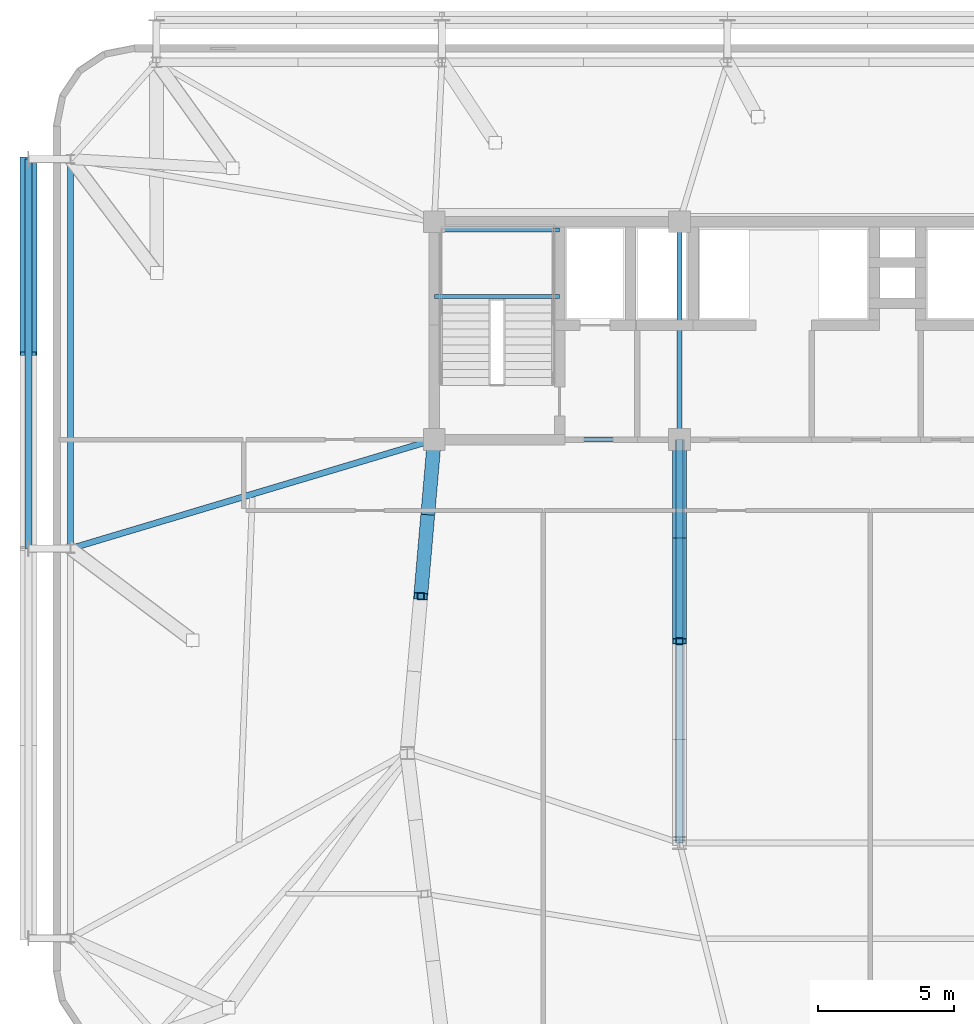
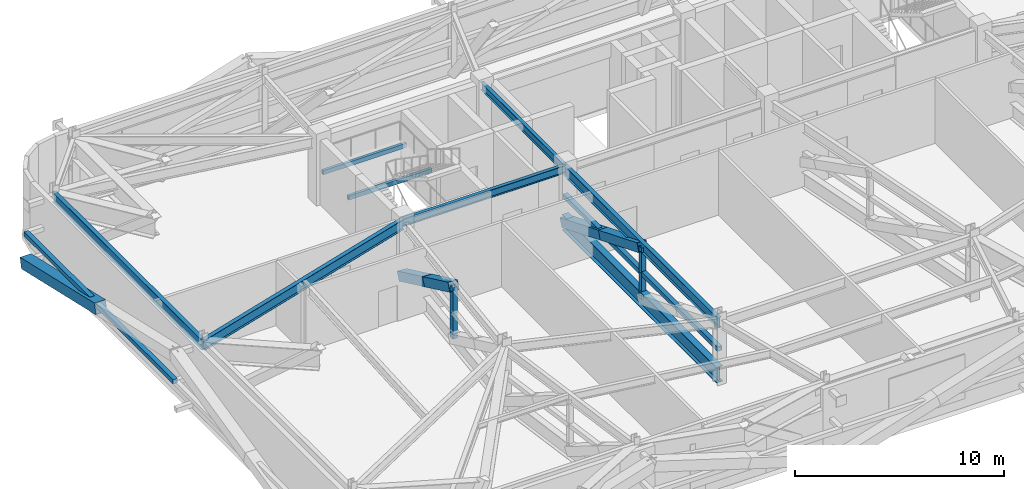
# One storey, part 7 of 24: 12 members, 7 beams.
"""IFC4 building model written with IfcOpenShell, lengths in metres."""

from ifc_helpers import new_model, si_unit, direction, frame, origin, origin_2d, place, context, subcontext, project, spatial, hollow_rectangle, i_section, extrude, source, transform, mapped, material, material_profile, profile_set, type_object, element, save


model = new_model("IFC4")

# Units and contexts
model_context = context("Model", 3, precision=1e-05, world=origin(), true_north=direction((0.0, 1.0)))
body_context = subcontext(model_context, "Body", "Model", "MODEL_VIEW")
ifc_project = project(units=[si_unit("LENGTHUNIT", "METRE"), si_unit("AREAUNIT", "SQUARE_METRE"), si_unit("VOLUMEUNIT", "CUBIC_METRE"), si_unit("PLANEANGLEUNIT", "RADIAN"), si_unit("MASSUNIT", "GRAM", prefix="KILO")], contexts=[model_context])

# Site, building, storey
site_placement = place(None, origin())
site = spatial("IfcSite", under=ifc_project, at=site_placement, CompositionType="ELEMENT")
building_placement = place(site_placement, origin())
building = spatial("IfcBuilding", under=site, at=building_placement, Name="Taldren Reach Tower", CompositionType="ELEMENT")
storey_placement = place(building_placement, frame((0.0, 0.0, 60.89990234375)))
storey = spatial("IfcBuildingStorey", under=building, at=storey_placement, Name="L18", CompositionType="ELEMENT", Elevation=60.89990234375)

# Beams
ifc_material_1 = material(Name="Steel Gr 350 (350PLUS)", Category="steel")
ifc_material_profile_1 = material_profile(ifc_material_1, i_section(OverallWidth=0.19091796875, OverallDepth=0.4599609375, WebThickness=0.010009765625, FlangeThickness=0.01611328125, at=origin_2d()), Name="460UB82.1")
ifc_profile_set_1 = profile_set([ifc_material_profile_1], Name="Steel Gr 350 (350PLUS)")
beam_type_1 = type_object("IfcBeamType", Name="BM-UB460A", PredefinedType="BEAM", material=ifc_profile_set_1)
shared_shape_1 = source(origin(), body_context, "Body", "SweptSolid", [
    extrude(i_section(OverallWidth=0.19091796875, OverallDepth=0.4599609375, WebThickness=0.010009765625, FlangeThickness=0.01611328125, at=origin_2d()), origin(), (0.0, 0.0, 1.0), 9.0),
])
beam_1_placement = place(storey_placement, frame((19.0, 24.0, 3.550048828125), z_axis=(1.0, 0.0, 0.0), x_axis=(0.0, 1.0, 0.0)))
element("IfcBeam", 1, at=beam_1_placement, inside=storey, type_object=beam_type_1, Name="Core-spine girder L18-SP01", PredefinedType="BEAM", context=body_context, shape_type="MappedRepresentation", body=[
    mapped(shared_shape_1, transform((0.0, 0.0, 0.0), scale=1.0)),
])
shared_shape_2 = source(origin(), body_context, "Body", "SweptSolid", [
    extrude(i_section(OverallWidth=0.19091796875, OverallDepth=0.4599609375, WebThickness=0.010009765625, FlangeThickness=0.01611328125, at=origin_2d()), origin(), (0.0, 0.0, 1.0), 8.0),
])
beam_2_placement = place(storey_placement, frame((28.0, 24.0, 3.550048828125), z_axis=(0.0, 1.0, 0.0), x_axis=(-1.0, 0.0, 0.0)))
element("IfcBeam", 2, at=beam_2_placement, inside=storey, type_object=beam_type_1, Name="Core-spine girder L18-SP07", PredefinedType="BEAM", context=body_context, shape_type="MappedRepresentation", body=[
    mapped(shared_shape_2, transform((0.0, 0.0, 0.0), scale=1.0)),
])
ifc_material_profile_2 = material_profile(ifc_material_1, i_section(OverallWidth=0.22802734375, OverallDepth=0.60205078125, WebThickness=0.010498046875, FlangeThickness=0.014892578125, at=origin_2d()), Name="610UB101")
ifc_profile_set_2 = profile_set([ifc_material_profile_2], Name="Steel Gr 350 (350PLUS)")
beam_type_2 = type_object("IfcBeamType", Name="BM-UB610B", PredefinedType="BEAM", material=ifc_profile_set_2)
shared_shape_3 = source(origin(), body_context, "Body", "SweptSolid", [
    extrude(i_section(OverallWidth=0.22802734375, OverallDepth=0.60205078125, WebThickness=0.010498046875, FlangeThickness=0.014892578125, at=origin_2d()), origin(), (0.0, 0.0, 1.0), 14.800048828125),
])
beam_3_placement = place(storey_placement, frame((28.0, 24.0, 3.47900390625), z_axis=(0.0, -1.0, 0.0), x_axis=(1.0, 0.0, 0.0)))
element("IfcBeam", 3, at=beam_3_placement, inside=storey, type_object=beam_type_2, Name="Core-spine girder L18-SP14", PredefinedType="BEAM", context=body_context, shape_type="MappedRepresentation", body=[
    mapped(shared_shape_3, transform((0.0, 0.0, 0.0), scale=1.0)),
])
shared_shape_4 = source(origin(), body_context, "Body", "SweptSolid", [
    extrude(i_section(OverallWidth=0.22802734375, OverallDepth=0.60205078125, WebThickness=0.010498046875, FlangeThickness=0.014892578125, at=origin_2d()), origin(), (0.0, 0.0, 1.0), 14.300048828125),
])
beam_4_placement = place(storey_placement, frame((5.64990234375, 34.300048828125, 3.47900390625), z_axis=(0.0, -1.0, 0.0), x_axis=(1.0, 0.0, 0.0)))
element("IfcBeam", 4, at=beam_4_placement, inside=storey, type_object=beam_type_2, Name="Perimeter gable girder B1 W3-W2 L18", PredefinedType="BEAM", context=body_context, shape_type="MappedRepresentation", body=[
    mapped(shared_shape_4, transform((0.0, 0.0, 0.0), scale=1.0)),
])
shared_shape_5 = source(origin(), body_context, "Body", "SweptSolid", [
    extrude(i_section(OverallWidth=0.22802734375, OverallDepth=0.60205078125, WebThickness=0.010498046875, FlangeThickness=0.014892578125, at=origin_2d()), origin(), (0.0, 0.0, 1.0), 13.9365234375),
])
beam_5_placement = place(storey_placement, frame((19.0, 24.0, 3.47900390625), z_axis=(-0.957925550891, -0.287016792104, 0.0), x_axis=(0.287016792104, -0.957925550891, 0.0)))
element("IfcBeam", 5, at=beam_5_placement, inside=storey, type_object=beam_type_2, Name="Primary floor girder B1-W2 L18", PredefinedType="BEAM", context=body_context, shape_type="MappedRepresentation", body=[
    mapped(shared_shape_5, transform((0.0, 0.0, 0.0), scale=1.0)),
])

# Members
ifc_material_2 = material(Name="Steel Gr 350 (C350L0)", Category="steel")
ifc_material_profile_3 = material_profile(ifc_material_2, hollow_rectangle(XDim=0.25, YDim=0.25, WallThickness=0.010009765625, at=origin_2d()), Name="250x250x10.0SHS")
ifc_profile_set_3 = profile_set([ifc_material_profile_3], Name="Steel Gr 350 (C350L0)")
member_type_1 = type_object("IfcMemberType", Name="MB-POST250", PredefinedType="POST", material=ifc_profile_set_3)
shared_shape_6 = source(origin(), body_context, "Body", "SweptSolid", [
    extrude(hollow_rectangle(XDim=0.25, YDim=0.25, WallThickness=0.010009765625, at=origin_2d()), origin(), (0.0, 0.0, 1.0), 14.300048828125),
])
member_1_placement = place(storey_placement, frame((4.10009765625, 20.0, 1.860107421875), z_axis=(0.0, 1.0, 0.0), x_axis=(-1.0, 0.0, 0.0)))
element("IfcMember", 6, at=member_1_placement, inside=storey, type_object=member_type_1, Name="Exoskeleton mid-height ring chord B1-W2 L18", PredefinedType="POST", context=body_context, shape_type="MappedRepresentation", body=[
    mapped(shared_shape_6, transform((0.0, 0.0, 0.0), scale=1.0)),
])
shared_shape_7 = source(origin(), body_context, "Body", "SweptSolid", [
    extrude(hollow_rectangle(XDim=0.25, YDim=0.25, WallThickness=0.010009765625, at=origin_2d()), origin(), (0.0, 0.0, 1.0), 1.5048828125),
])
for number, where, z_axis, x_axis, name in (
    (7, (18.5, 18.25, 0.4501953125), (0.0, 0.0, 1.0), (1.0, 0.0, 0.0), "Outrigger Transfer Truss Vertical Post OT-W1 L18"),
    (8, (28.0, 16.60009765625, 0.4501953125), (0.0, 0.0, 1.0), (1.0, 0.0, 0.0), "Outrigger Transfer Truss Vertical Post OT-M1 L18"),
):
    element("IfcMember", number, at=place(storey_placement, frame(where, z_axis=z_axis, x_axis=x_axis)), inside=storey, type_object=member_type_1, Name=name, PredefinedType="POST", context=body_context, shape_type="MappedRepresentation", body=[
        mapped(shared_shape_7, transform((0.0, 0.0, 0.0), scale=1.0)),
    ])
shared_shape_8 = source(origin(), body_context, "Body", "SweptSolid", [
    extrude(hollow_rectangle(XDim=0.25, YDim=0.25, WallThickness=0.010009765625, at=origin_2d()), origin(), (0.0, 0.0, 1.0), 1.505126953125),
])
for number, where, z_axis, x_axis, name in (
    (9, (18.5, 18.25, 1.955078125), (0.0, 0.0, 1.0), (1.0, 0.0, 0.0), "Outrigger Transfer Truss Vertical Post OT-W1 L18"),
    (10, (28.0, 16.60009765625, 1.955078125), (0.0, 0.0, 1.0), (1.0, 0.0, 0.0), "Outrigger Transfer Truss Vertical Post OT-M1 L18"),
):
    element("IfcMember", number, at=place(storey_placement, frame(where, z_axis=z_axis, x_axis=x_axis)), inside=storey, type_object=member_type_1, Name=name, PredefinedType="POST", context=body_context, shape_type="MappedRepresentation", body=[
        mapped(shared_shape_8, transform((0.0, 0.0, 0.0), scale=1.0)),
    ])
ifc_material_3 = material(Name="Steel Gr 450 (C450L0)", Category="steel")
ifc_material_profile_4 = material_profile(ifc_material_3, hollow_rectangle(XDim=0.510009765625, YDim=0.510009765625, WallThickness=0.02001953125, at=origin_2d()), Name="510x510x20.0SHS")
ifc_profile_set_4 = profile_set([ifc_material_profile_4], Name="Steel Gr 450 (C450L0)")
member_type_2 = type_object("IfcMemberType", Name="MB-EXO508", PredefinedType="BRACE", material=ifc_profile_set_4)
shared_shape_9 = source(origin(), body_context, "Body", "SweptSolid", [
    extrude(hollow_rectangle(XDim=0.510009765625, YDim=0.510009765625, WallThickness=0.02001953125, at=origin_2d()), origin(), (0.0, 0.0, 1.0), 3.254638671875),
])
member_2_placement = place(storey_placement, frame((19.0, 24.0, 0.4501953125), z_axis=(-0.076812991328, -0.883349400268, 0.462378201703), x_axis=(0.996240588196, -0.086629616365, 0.0)))
element("IfcMember", 11, at=member_2_placement, inside=storey, type_object=member_type_2, Name="Outrigger Transfer Truss Diagonal OT-W1A L18", PredefinedType="BRACE", context=body_context, shape_type="MappedRepresentation", body=[
    mapped(shared_shape_9, transform((0.0, 0.0, 0.0), scale=1.0)),
])
shared_shape_10 = source(origin(), body_context, "Body", "SweptSolid", [
    extrude(hollow_rectangle(XDim=0.510009765625, YDim=0.510009765625, WallThickness=0.02001953125, at=origin_2d()), origin(), (0.0, 0.0, 1.0), 3.2548828125),
])
member_3_placement = place(storey_placement, frame((18.75, 21.125, 1.955078125), z_axis=(-0.076810327051, -0.883318761082, 0.462437174089), x_axis=(0.996240588196, -0.086629616365, 0.0)))
element("IfcMember", 12, at=member_3_placement, inside=storey, type_object=member_type_2, Name="Outrigger Transfer Truss Diagonal OT-W1A L18", PredefinedType="BRACE", context=body_context, shape_type="MappedRepresentation", body=[
    mapped(shared_shape_10, transform((0.0, 0.0, 0.0), scale=1.0)),
])
ifc_material_profile_5 = material_profile(ifc_material_1, i_section(OverallWidth=0.35009765625, OverallDepth=0.916015625, WebThickness=0.013916015625, FlangeThickness=0.028076171875, at=origin_2d()), Name="900WB257")
ifc_profile_set_5 = profile_set([ifc_material_profile_5], Name="Steel Gr 350 (350PLUS)")
member_type_3 = type_object("IfcMemberType", Name="MB-CH900", PredefinedType="CHORD", material=ifc_profile_set_5)
shared_shape_11 = source(origin(), body_context, "Body", "SweptSolid", [
    extrude(i_section(OverallWidth=0.35009765625, OverallDepth=0.916015625, WebThickness=0.013916015625, FlangeThickness=0.028076171875, at=origin_2d()), origin(), (0.0, 0.0, 1.0), 14.800048828125),
])
member_4_placement = place(storey_placement, frame((28.0, 24.0, 0.4501953125), z_axis=(0.0, -1.0, 0.0), x_axis=(1.0, 0.0, 0.0)))
element("IfcMember", 13, at=member_4_placement, inside=storey, type_object=member_type_3, Name="Outrigger Transfer Truss Bottom Chord OT-M1 L18", PredefinedType="CHORD", context=body_context, shape_type="MappedRepresentation", body=[
    mapped(shared_shape_11, transform((0.0, 0.0, 0.0), scale=1.0)),
])
shared_shape_12 = source(origin(), body_context, "Body", "SweptSolid", [
    extrude(hollow_rectangle(XDim=0.25, YDim=0.25, WallThickness=0.010009765625, at=origin_2d()), origin(), (0.0, 0.0, 1.0), 14.800048828125),
])
member_5_placement = place(storey_placement, frame((28.0, 24.0, 1.955078125), z_axis=(0.0, -1.0, 0.0), x_axis=(1.0, 0.0, 0.0)))
element("IfcMember", 14, at=member_5_placement, inside=storey, type_object=member_type_1, Name="Outrigger Transfer Truss Mid Chord OT-M1 L18", PredefinedType="POST", context=body_context, shape_type="MappedRepresentation", body=[
    mapped(shared_shape_12, transform((0.0, 0.0, 0.0), scale=1.0)),
])
shared_shape_13 = source(origin(), body_context, "Body", "SweptSolid", [
    extrude(hollow_rectangle(XDim=0.510009765625, YDim=0.510009765625, WallThickness=0.02001953125, at=origin_2d()), origin(), (0.0, 0.0, 1.0), 3.994384765625),
])
for number, where, z_axis, x_axis, name in (
    (15, (28.0, 24.0, 0.4501953125), (0.0, -0.926311309754, 0.376759017705), (1.0, 0.0, 0.0), "Outrigger Transfer Truss Diagonal OT-M1A L18"),
    (16, (28.0, 20.300048828125, 1.955078125), (0.0, -0.926289977248, 0.376811462206), (1.0, 0.0, 0.0), "Outrigger Transfer Truss Diagonal OT-M1A L18"),
):
    element("IfcMember", number, at=place(storey_placement, frame(where, z_axis=z_axis, x_axis=x_axis)), inside=storey, type_object=member_type_2, Name=name, PredefinedType="BRACE", context=body_context, shape_type="MappedRepresentation", body=[
        mapped(shared_shape_13, transform((0.0, 0.0, 0.0), scale=1.0)),
    ])
ifc_material_profile_6 = material_profile(ifc_material_3, hollow_rectangle(XDim=0.614990234375, YDim=0.614990234375, WallThickness=0.02490234375, at=origin_2d()), Name="615x615x25.0SHS")
ifc_profile_set_6 = profile_set([ifc_material_profile_6], Name="Steel Gr 450 (C450L0)")
member_type_4 = type_object("IfcMemberType", Name="MB-EXO610", PredefinedType="BRACE", material=ifc_profile_set_6)
shared_shape_14 = source(origin(), body_context, "Body", "SweptSolid", [
    extrude(hollow_rectangle(XDim=0.614990234375, YDim=0.614990234375, WallThickness=0.02490234375, at=origin_2d()), origin(), (0.0, 0.0, 1.0), 7.335693359375),
])
member_6_placement = place(storey_placement, frame((4.10009765625, 34.300048828125, 0.22021484375), z_axis=(0.0, -0.974693203866, 0.22354676991), x_axis=(1.0, 0.0, 0.0)))
element("IfcMember", 17, at=member_6_placement, inside=storey, type_object=member_type_4, Name="Exoskeleton Diagrid Brace B1-W2 L18", PredefinedType="BRACE", context=body_context, shape_type="MappedRepresentation", body=[
    mapped(shared_shape_14, transform((0.0, 0.0, 0.0), scale=1.0)),
])

# Beams
ifc_material_profile_7 = material_profile(ifc_material_2, hollow_rectangle(XDim=0.14990234375, YDim=0.25, WallThickness=0.009033203125, at=origin_2d()), Name="250x150x9.0RHS")
ifc_profile_set_7 = profile_set([ifc_material_profile_7], Name="Steel Gr 350 (C350L0)")
beam_type_3 = type_object("IfcBeamType", Name="LN-RHS250", PredefinedType="LINTEL", material=ifc_profile_set_7)
shared_shape_15 = source(origin(), body_context, "Body", "SweptSolid", [
    extrude(hollow_rectangle(XDim=0.14990234375, YDim=0.25, WallThickness=0.009033203125, at=origin_2d()), origin(), (0.0, 0.0, 1.0), 4.60009765625),
])
for number, where, z_axis, x_axis, name in (
    (18, (19.0, 29.2548828125, 1.795166015625), (1.0, 0.0, 0.0), (0.0, 1.0, 0.0), "Stair half-landing support beam ST1-L18-1"),
    (19, (19.0, 31.699951171875, 1.795166015625), (1.0, 0.0, 0.0), (0.0, 1.0, 0.0), "Stair half-landing support beam ST1-L18-2"),
):
    element("IfcBeam", number, at=place(storey_placement, frame(where, z_axis=z_axis, x_axis=x_axis)), inside=storey, type_object=beam_type_3, Name=name, PredefinedType="LINTEL", context=body_context, shape_type="MappedRepresentation", body=[
        mapped(shared_shape_15, transform((0.0, 0.0, 0.0), scale=1.0)),
    ])

save(model, "model.ifc")
